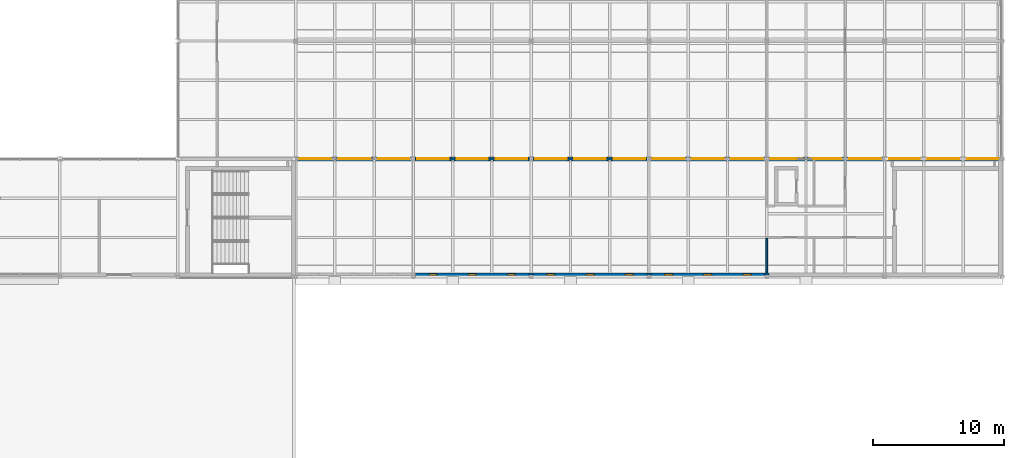
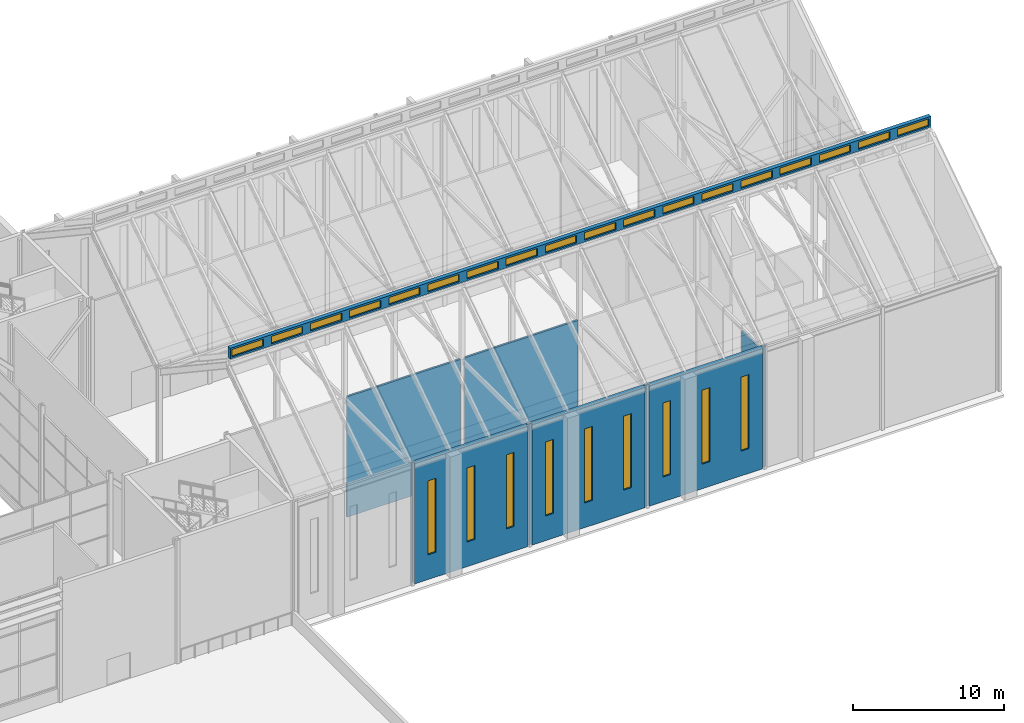
# One storey, part 87 of 111: 27 windows, 10 walls, 27 openings.
"""IFC4 building model written with IfcOpenShell, lengths in metres."""

import ifcopenshell
import ifcopenshell.guid

model = None  # the IFC model being written
_history = None  # IfcOwnerHistory: only IFC2X3 demands one
_inside = {}  # id of a spatial element -> (the spatial element, [elements in it])
_under = {}  # id of a project, library or spatial element -> (it, [spatial elements below it])
_declared = {}  # id of a project -> (the project, [libraries it declares])
_typed = {}  # id of a type object -> (the type object, [elements of that type])
_made_of = {}  # id of a material, layer set ... -> (it, [elements and type objects made of it])


def new_model(schema):
    """Start an empty IFC model of exactly this schema.

    Asked for "IFC4X3", IfcOpenShell would pick the latest addendum, in which some entities
    have other attributes; the version numbers below select the first issue.
    IFC2X3 requires an IfcOwnerHistory on every rooted entity: one is made here for all.
    """
    global model, _history
    if schema == "IFC4X3":
        model = ifcopenshell.file(schema_version=(4, 3, 0, 0))
    else:
        model = ifcopenshell.file(schema=schema)
    _inside.clear()
    _under.clear()
    _declared.clear()
    _typed.clear()
    _made_of.clear()
    _history = None
    if model.schema == "IFC2X3":
        org = make("IfcOrganization", Name="unknown")
        user = make(
            "IfcPersonAndOrganization",
            ThePerson=make("IfcPerson", FamilyName="unknown"),
            TheOrganization=org,
        )
        app = make(
            "IfcApplication",
            ApplicationDeveloper=org,
            Version="unknown",
            ApplicationFullName="unknown",
            ApplicationIdentifier="unknown",
        )
        _history = make(
            "IfcOwnerHistory",
            OwningUser=user,
            OwningApplication=app,
            ChangeAction="ADDED",
            CreationDate=0,
        )
    return model


def make(cls, **values):
    """One entity of the class cls with the attributes given. An attribute that is None is left unset."""
    return model.create_entity(
        cls, **{name: value for name, value in values.items() if value is not None}
    )


def rooted(cls, **values):
    """An entity with a GlobalId (a new one), such as an element, a storey or a relation."""
    return make(cls, GlobalId=ifcopenshell.guid.new(), OwnerHistory=_history, **values)


def si_unit(unit_type, name, prefix=None):
    """IfcSIUnit, for example si_unit("LENGTHUNIT", "METRE", prefix="MILLI")."""
    return make("IfcSIUnit", UnitType=unit_type, Prefix=prefix, Name=name)


def assignment(units):
    """IfcUnitAssignment: the units of a project."""
    return None if units is None else make("IfcUnitAssignment", Units=units)


def point(xyz):
    """IfcCartesianPoint."""
    return None if xyz is None else make("IfcCartesianPoint", Coordinates=xyz)


def direction(xyz):
    """IfcDirection."""
    return None if xyz is None else make("IfcDirection", DirectionRatios=xyz)


def frame(location, z_axis=None, x_axis=None):
    """IfcAxis2Placement3D, a coordinate frame: its origin and axes. An axis left out is left unset."""
    return make(
        "IfcAxis2Placement3D",
        Location=point(location),
        Axis=direction(z_axis),
        RefDirection=direction(x_axis),
    )


def frame_2d(location, x_axis=None):
    """IfcAxis2Placement2D, a coordinate frame in the plane: its origin and x axis."""
    return make(
        "IfcAxis2Placement2D", Location=point(location), RefDirection=direction(x_axis)
    )


def origin():
    """The frame at (0, 0, 0) with its axes left unset."""
    return frame((0.0, 0.0, 0.0))


def place(relative_to, where):
    """IfcLocalPlacement: puts the frame where relative to a parent placement (None: the world)."""
    return make(
        "IfcLocalPlacement", PlacementRelTo=relative_to, RelativePlacement=where
    )


def context(
    kind, dimensions, precision=None, world=None, true_north=None, identifier=None
):
    """IfcGeometricRepresentationContext, for example the 3D "Model" context."""
    return make(
        "IfcGeometricRepresentationContext",
        ContextIdentifier=identifier,
        ContextType=kind,
        CoordinateSpaceDimension=dimensions,
        Precision=precision,
        WorldCoordinateSystem=world,
        TrueNorth=true_north,
    )


def subcontext(parent, identifier, kind, view, scale=None):
    """IfcGeometricRepresentationSubContext, for example "Body" below "Model"."""
    return make(
        "IfcGeometricRepresentationSubContext",
        ContextIdentifier=identifier,
        ContextType=kind,
        ParentContext=parent,
        TargetScale=scale,
        TargetView=view,
    )


def project(units=None, contexts=None):
    """IfcProject with its units and contexts."""
    return rooted(
        "IfcProject",
        Name="project",
        RepresentationContexts=contexts,
        UnitsInContext=assignment(units),
    )


def spatial(cls, under=None, at=None, **own):
    """A site, building, storey or space (cls), placed at a placement, below another one or the project."""
    s = rooted(cls, ObjectPlacement=at, **own)
    if under is not None:
        _under.setdefault(under.id(), (under, []))[1].append(s)
    return s


def profile(cls, at=None, kind="AREA", **sizes):
    """A parametric profile (cls). Its sizes go by their IFC names, for example OverallWidth=200.0."""
    return make(cls, ProfileType=kind, Position=at, **sizes)


def rectangle(**sizes):
    """IfcRectangleProfileDef."""
    return profile("IfcRectangleProfileDef", **sizes)


def extrude(swept, where, along, depth):
    """IfcExtrudedAreaSolid: the profile swept, set in the frame where, extruded along a direction by depth."""
    return make(
        "IfcExtrudedAreaSolid",
        SweptArea=swept,
        Position=where,
        ExtrudedDirection=direction(along),
        Depth=depth,
    )


def shape(context_of_items, identifier, shape_type, items):
    """IfcShapeRepresentation: the items that make up one representation, for example the "Body"."""
    return make(
        "IfcShapeRepresentation",
        ContextOfItems=context_of_items,
        RepresentationIdentifier=identifier,
        RepresentationType=shape_type,
        Items=items,
    )


def material(Name=None, Category=None):
    """IfcMaterial."""
    return make("IfcMaterial", Name=Name, Category=Category)


def layer(
    of_material, thickness, ventilated=None, Name=None, Category=None, Priority=None
):
    """IfcMaterialLayer: one layer of a wall or slab, of a material (None: an air gap)."""
    return make(
        "IfcMaterialLayer",
        Material=of_material,
        LayerThickness=thickness,
        IsVentilated=ventilated,
        Name=Name,
        Category=Category,
        Priority=Priority,
    )


def layer_set(layers, Name=None):
    """IfcMaterialLayerSet."""
    return make("IfcMaterialLayerSet", MaterialLayers=layers, LayerSetName=Name)


def made_of(thing, what):
    """Note that an element or type object is made of a material, layer set ...; save() writes the relation."""
    if what is not None:
        _made_of.setdefault(what.id(), (what, []))[1].append(thing)
    return thing


def type_object(cls, material=None, **own):
    """A type object (cls), such as IfcWallType, which elements share."""
    return made_of(rooted(cls, **own), material)


def element(
    cls,
    number,
    at=None,
    inside=None,
    cuts=None,
    type_object=None,
    material=None,
    context=None,
    identifier="Body",
    shape_type=None,
    held_by="IfcProductDefinitionShape",
    body=None,
    shapes=None,
    **own,
):
    """One element of the class cls, such as IfcWall. Its Tag is "e" and its number.

    at: its placement. inside: the storey or other place that contains it. cuts: it is an
    opening in that element (IfcRelVoidsElement). A single representation is given by context,
    identifier, shape_type and body (its items); several are given by shapes. held_by: the class
    of the entity that holds the representations. save() writes the other relations.
    """
    e = rooted(cls, Tag="e%d" % number, ObjectPlacement=at, **own)
    if body is not None:
        shapes = [shape(context, identifier, shape_type, body)]
    if shapes is not None:
        e.Representation = make(held_by, Representations=shapes)
    if inside is not None:
        _inside.setdefault(inside.id(), (inside, []))[1].append(e)
    if cuts is not None:
        rooted(
            "IfcRelVoidsElement", RelatingBuildingElement=cuts, RelatedOpeningElement=e
        )
    if type_object is not None:
        _typed.setdefault(type_object.id(), (type_object, []))[1].append(e)
    return made_of(e, material)


def fill(opening, filler):
    """IfcRelFillsElement: the door or window that sits in an opening."""
    return rooted(
        "IfcRelFillsElement",
        RelatingOpeningElement=opening,
        RelatedBuildingElement=filler,
    )


def aggregate(whole, parts):
    """IfcRelAggregates: a whole, such as a stair, and the parts it consists of."""
    return rooted("IfcRelAggregates", RelatingObject=whole, RelatedObjects=parts)


def save(model, path):
    """Write the relations noted so far, then the file.

    IfcRelAggregates (storeys below a building ...), IfcRelContainedInSpatialStructure (elements
    in a storey), IfcRelDefinesByType, IfcRelAssociatesMaterial and IfcRelDeclares: one each for
    every whole, place, type object, material and project.
    """
    for whole, parts in _under.values():
        aggregate(whole, parts)
    for where, things in _inside.values():
        rooted(
            "IfcRelContainedInSpatialStructure",
            RelatedElements=things,
            RelatingStructure=where,
        )
    for kind, things in _typed.values():
        rooted("IfcRelDefinesByType", RelatedObjects=things, RelatingType=kind)
    for what, things in _made_of.values():
        rooted("IfcRelAssociatesMaterial", RelatedObjects=things, RelatingMaterial=what)
    for by, libraries in _declared.values():
        rooted("IfcRelDeclares", RelatingContext=by, RelatedDefinitions=libraries)
    model.write(path)


model = new_model("IFC4")

# Units and contexts
model_context = context("Model", 3, precision=1e-05, world=origin(), true_north=direction((0.0, 1.0)))
body_context = subcontext(model_context, "Body", "Model", "MODEL_VIEW")
ifc_project = project(units=[si_unit("LENGTHUNIT", "METRE"), si_unit("AREAUNIT", "SQUARE_METRE"), si_unit("VOLUMEUNIT", "CUBIC_METRE"), si_unit("PLANEANGLEUNIT", "RADIAN"), si_unit("MASSUNIT", "GRAM", prefix="KILO")], contexts=[model_context])

# Site, building, storey
site_placement = place(None, origin())
site = spatial("IfcSite", under=ifc_project, at=site_placement, CompositionType="ELEMENT")
building_placement = place(site_placement, origin())
building = spatial("IfcBuilding", under=site, at=building_placement, Name="Shorebreak Coast Museum", CompositionType="ELEMENT")
storey_placement = place(building_placement, frame((0.0, 0.0, 16.0)))
storey = spatial("IfcBuildingStorey", under=building, at=storey_placement, Name="L03", CompositionType="ELEMENT", Elevation=16.0)

# Walls
ifc_material_1 = material(Name="Concrete N50 (50 MPa)", Category="concrete")
ifc_layer_1 = layer(ifc_material_1, 0.175048828125)
ifc_layer_set_1 = layer_set([ifc_layer_1], Name="Concrete N50 (50 MPa)")
wall_type_1 = type_object("IfcWallType", Name="Column closure panel 175", PredefinedType="SOLIDWALL", material=ifc_layer_set_1)
for number, where, z_axis, x_axis, name in (
    (1, (134.839111328125, 54.21240234375, 0.0), (0.0, 0.0, 1.0), (1.0, 0.0, 0.0), "Column closure panel L03 S 16G"),
    (2, (143.839111328125, 54.21240234375, 0.0), (0.0, 0.0, 1.0), (1.0, 0.0, 0.0), "Column closure panel L03 S 17G"),
    (3, (152.839111328125, 54.21240234375, 0.0), (0.0, 0.0, 1.0), (1.0, 0.0, 0.0), "Column closure panel L03 S 18G"),
):
    element("IfcWall", number, at=place(storey_placement, frame(where, z_axis=z_axis, x_axis=x_axis)), inside=storey, type_object=wall_type_1, Name=name, PredefinedType="SOLIDWALL", context=body_context, shape_type="SweptSolid", body=[
        extrude(rectangle(XDim=0.32177734375, YDim=0.175048828125, at=frame_2d((0.160888671875, 0.0))), origin(), (0.0, 0.0, 1.0), 9.800048828125),
    ])
ifc_material_2 = material(Name="Plasterboard on steel stud", Category="steel")
ifc_layer_2 = layer(ifc_material_2, 0.14990234375)
ifc_layer_set_2 = layer_set([ifc_layer_2], Name="Plasterboard on steel stud")
wall_type_2 = type_object("IfcWallType", Name="Fire partition 150", PredefinedType="PARTITIONING", material=ifc_layer_set_2)
for number, where, z_axis, x_axis, name in (
    (4, (126.152587890625, 63.0, 0.0), (0.0, 0.0, 1.0), (1.0, 0.0, 0.0), "Partition L03-006"),
    (5, (135.152587890625, 63.0, 0.0), (0.0, 0.0, 1.0), (1.0, 0.0, 0.0), "Partition L03-007"),
):
    element("IfcWall", number, at=place(storey_placement, frame(where, z_axis=z_axis, x_axis=x_axis)), inside=storey, type_object=wall_type_2, Name=name, PredefinedType="PARTITIONING", context=body_context, shape_type="SweptSolid", body=[
        extrude(rectangle(XDim=8.69482421875, YDim=0.14990234375, at=frame_2d((4.347412109375, 0.0))), origin(), (0.0, 0.0, 1.0), 9.760009765625),
    ])
ifc_material_3 = material(Name="Plasterboard on steel stud", Category="steel")
ifc_layer_3 = layer(ifc_material_3, 0.125)
ifc_layer_set_3 = layer_set([ifc_layer_3], Name="Plasterboard on steel stud")
wall_type_3 = type_object("IfcWallType", Name="Partition 125", PredefinedType="PARTITIONING", material=ifc_layer_set_3)
wall_1_placement = place(storey_placement, frame((153.0, 54.300048828125, 0.0), z_axis=(0.0, 0.0, 1.0), x_axis=(0.0, 1.0, 0.0)))
element("IfcWall", 6, at=wall_1_placement, inside=storey, type_object=wall_type_3, Name="Partition L03-077", PredefinedType="PARTITIONING", context=body_context, shape_type="SweptSolid", body=[
    extrude(rectangle(XDim=2.637451171875, YDim=0.125, at=frame_2d((1.31884765625, 0.0))), origin(), (0.0, 0.0, 1.0), 9.40771484375),
])

# Wall, openings, windows
ifc_material_4 = material(Name="Concrete N50 (50 MPa)", Category="concrete")
ifc_layer_4 = layer(ifc_material_4, 0.300048828125)
ifc_layer_set_4 = layer_set([ifc_layer_4], Name="Concrete N50 (50 MPa)")
wall_type_4 = type_object("IfcWallType", Name="Precast board-marked panel 300", PredefinedType="SOLIDWALL", material=ifc_layer_set_4)
wall_2_placement = place(storey_placement, frame((126.160888671875, 54.14990234375, 0.0), z_axis=(0.0, 0.0, 1.0), x_axis=(1.0, 0.0, 0.0)))
wall_2 = element("IfcWall", 7, at=wall_2_placement, inside=storey, type_object=wall_type_4, Name="External wall L03 S 15G", PredefinedType="SOLIDWALL", context=body_context, shape_type="SweptSolid", body=[
    extrude(rectangle(XDim=8.67822265625, YDim=0.300048828125, at=frame_2d((4.339111328125, 0.0))), origin(), (0.0, 0.0, 1.0), 9.800048828125),
])
opening_1_placement = place(wall_2_placement, frame((1.0390625, 0.0, 2.0)))
opening_1 = element("IfcOpeningElement", 8, at=opening_1_placement, cuts=wall_2, Name="Opening WN3033", PredefinedType="OPENING", context=body_context, shape_type="SweptSolid", body=[
    extrude(rectangle(XDim=0.60009765625, YDim=6.0, at=frame_2d((0.300048828125, 3.0))), frame((0.0, 0.159912109375, 0.0), z_axis=(0.0, -1.0, 0.0), x_axis=(1.0, 0.0, 0.0)), (0.0, 0.0, 1.0), 0.320068359375),
])
opening_2_placement = place(wall_2_placement, frame((4.0390625, 0.0, 2.0)))
opening_2 = element("IfcOpeningElement", 9, at=opening_2_placement, cuts=wall_2, Name="Opening WN3034", PredefinedType="OPENING", context=body_context, shape_type="SweptSolid", body=[
    extrude(rectangle(XDim=0.60009765625, YDim=6.0, at=frame_2d((0.300048828125, 3.0))), frame((0.0, 0.159912109375, 0.0), z_axis=(0.0, -1.0, 0.0), x_axis=(1.0, 0.0, 0.0)), (0.0, 0.0, 1.0), 0.320068359375),
])
opening_3_placement = place(wall_2_placement, frame((7.0390625, 0.0, 2.0)))
opening_3 = element("IfcOpeningElement", 10, at=opening_3_placement, cuts=wall_2, Name="Opening WN3035", PredefinedType="OPENING", context=body_context, shape_type="SweptSolid", body=[
    extrude(rectangle(XDim=0.60009765625, YDim=6.0, at=frame_2d((0.300048828125, 3.0))), frame((0.0, 0.159912109375, 0.0), z_axis=(0.0, -1.0, 0.0), x_axis=(1.0, 0.0, 0.0)), (0.0, 0.0, 1.0), 0.320068359375),
])
ifc_material_5 = material(Name="Aluminium", Category="aluminium")
window_type_1 = type_object("IfcWindowType", Name="Hall slot window 600 x 6000", PartitioningType="SINGLE_PANEL", PredefinedType="WINDOW", material=ifc_material_5)
window_1_placement = place(opening_1_placement, origin())
window_1 = element("IfcWindow", 11, at=window_1_placement, inside=storey, type_object=window_type_1, Name="Window WN3033", OverallHeight=6.0, OverallWidth=0.60009765625, PartitioningType="SINGLE_PANEL", PredefinedType="WINDOW", context=body_context, shape_type="SweptSolid", body=[
    extrude(rectangle(XDim=0.60009765625, YDim=6.0, at=frame_2d((0.300048828125, 3.0))), frame((0.0, 0.030029296875, 0.0), z_axis=(0.0, -1.0, 0.0), x_axis=(1.0, 0.0, 0.0)), (0.0, 0.0, 1.0), 0.06005859375),
])
fill(opening_1, window_1)
window_2_placement = place(opening_2_placement, origin())
window_2 = element("IfcWindow", 12, at=window_2_placement, inside=storey, type_object=window_type_1, Name="Window WN3034", OverallHeight=6.0, OverallWidth=0.60009765625, PartitioningType="SINGLE_PANEL", PredefinedType="WINDOW", context=body_context, shape_type="SweptSolid", body=[
    extrude(rectangle(XDim=0.60009765625, YDim=6.0, at=frame_2d((0.300048828125, 3.0))), frame((0.0, 0.030029296875, 0.0), z_axis=(0.0, -1.0, 0.0), x_axis=(1.0, 0.0, 0.0)), (0.0, 0.0, 1.0), 0.06005859375),
])
fill(opening_2, window_2)
window_3_placement = place(opening_3_placement, origin())
window_3 = element("IfcWindow", 13, at=window_3_placement, inside=storey, type_object=window_type_1, Name="Window WN3035", OverallHeight=6.0, OverallWidth=0.60009765625, PartitioningType="SINGLE_PANEL", PredefinedType="WINDOW", context=body_context, shape_type="SweptSolid", body=[
    extrude(rectangle(XDim=0.60009765625, YDim=6.0, at=frame_2d((0.300048828125, 3.0))), frame((0.0, 0.030029296875, 0.0), z_axis=(0.0, -1.0, 0.0), x_axis=(1.0, 0.0, 0.0)), (0.0, 0.0, 1.0), 0.06005859375),
])
fill(opening_3, window_3)

wall_3_placement = place(storey_placement, frame((135.160888671875, 54.14990234375, 0.0), z_axis=(0.0, 0.0, 1.0), x_axis=(1.0, 0.0, 0.0)))
wall_3 = element("IfcWall", 14, at=wall_3_placement, inside=storey, type_object=wall_type_4, Name="External wall L03 S 16G", PredefinedType="SOLIDWALL", context=body_context, shape_type="SweptSolid", body=[
    extrude(rectangle(XDim=8.67822265625, YDim=0.300048828125, at=frame_2d((4.339111328125, 0.0))), origin(), (0.0, 0.0, 1.0), 9.800048828125),
])
opening_4_placement = place(wall_3_placement, frame((1.0390625, 0.0, 2.0)))
opening_4 = element("IfcOpeningElement", 15, at=opening_4_placement, cuts=wall_3, Name="Opening WN3036", PredefinedType="OPENING", context=body_context, shape_type="SweptSolid", body=[
    extrude(rectangle(XDim=0.60009765625, YDim=6.0, at=frame_2d((0.300048828125, 3.0))), frame((0.0, 0.159912109375, 0.0), z_axis=(0.0, -1.0, 0.0), x_axis=(1.0, 0.0, 0.0)), (0.0, 0.0, 1.0), 0.320068359375),
])
opening_5_placement = place(wall_3_placement, frame((4.0390625, 0.0, 2.0)))
opening_5 = element("IfcOpeningElement", 16, at=opening_5_placement, cuts=wall_3, Name="Opening WN3037", PredefinedType="OPENING", context=body_context, shape_type="SweptSolid", body=[
    extrude(rectangle(XDim=0.60009765625, YDim=6.0, at=frame_2d((0.300048828125, 3.0))), frame((0.0, 0.159912109375, 0.0), z_axis=(0.0, -1.0, 0.0), x_axis=(1.0, 0.0, 0.0)), (0.0, 0.0, 1.0), 0.320068359375),
])
opening_6_placement = place(wall_3_placement, frame((7.0390625, 0.0, 2.0)))
opening_6 = element("IfcOpeningElement", 17, at=opening_6_placement, cuts=wall_3, Name="Opening WN3038", PredefinedType="OPENING", context=body_context, shape_type="SweptSolid", body=[
    extrude(rectangle(XDim=0.60009765625, YDim=6.0, at=frame_2d((0.300048828125, 3.0))), frame((0.0, 0.159912109375, 0.0), z_axis=(0.0, -1.0, 0.0), x_axis=(1.0, 0.0, 0.0)), (0.0, 0.0, 1.0), 0.320068359375),
])
window_4_placement = place(opening_4_placement, origin())
window_4 = element("IfcWindow", 18, at=window_4_placement, inside=storey, type_object=window_type_1, Name="Window WN3036", OverallHeight=6.0, OverallWidth=0.60009765625, PartitioningType="SINGLE_PANEL", PredefinedType="WINDOW", context=body_context, shape_type="SweptSolid", body=[
    extrude(rectangle(XDim=0.60009765625, YDim=6.0, at=frame_2d((0.300048828125, 3.0))), frame((0.0, 0.030029296875, 0.0), z_axis=(0.0, -1.0, 0.0), x_axis=(1.0, 0.0, 0.0)), (0.0, 0.0, 1.0), 0.06005859375),
])
fill(opening_4, window_4)
window_5_placement = place(opening_5_placement, origin())
window_5 = element("IfcWindow", 19, at=window_5_placement, inside=storey, type_object=window_type_1, Name="Window WN3037", OverallHeight=6.0, OverallWidth=0.60009765625, PartitioningType="SINGLE_PANEL", PredefinedType="WINDOW", context=body_context, shape_type="SweptSolid", body=[
    extrude(rectangle(XDim=0.60009765625, YDim=6.0, at=frame_2d((0.300048828125, 3.0))), frame((0.0, 0.030029296875, 0.0), z_axis=(0.0, -1.0, 0.0), x_axis=(1.0, 0.0, 0.0)), (0.0, 0.0, 1.0), 0.06005859375),
])
fill(opening_5, window_5)
window_6_placement = place(opening_6_placement, origin())
window_6 = element("IfcWindow", 20, at=window_6_placement, inside=storey, type_object=window_type_1, Name="Window WN3038", OverallHeight=6.0, OverallWidth=0.60009765625, PartitioningType="SINGLE_PANEL", PredefinedType="WINDOW", context=body_context, shape_type="SweptSolid", body=[
    extrude(rectangle(XDim=0.60009765625, YDim=6.0, at=frame_2d((0.300048828125, 3.0))), frame((0.0, 0.030029296875, 0.0), z_axis=(0.0, -1.0, 0.0), x_axis=(1.0, 0.0, 0.0)), (0.0, 0.0, 1.0), 0.06005859375),
])
fill(opening_6, window_6)

wall_4_placement = place(storey_placement, frame((144.160888671875, 54.14990234375, 0.0), z_axis=(0.0, 0.0, 1.0), x_axis=(1.0, 0.0, 0.0)))
wall_4 = element("IfcWall", 21, at=wall_4_placement, inside=storey, type_object=wall_type_4, Name="External wall L03 S 17G", PredefinedType="SOLIDWALL", context=body_context, shape_type="SweptSolid", body=[
    extrude(rectangle(XDim=8.67822265625, YDim=0.300048828125, at=frame_2d((4.339111328125, 0.0))), origin(), (0.0, 0.0, 1.0), 9.800048828125),
])
opening_7_placement = place(wall_4_placement, frame((1.0390625, 0.0, 2.0)))
opening_7 = element("IfcOpeningElement", 22, at=opening_7_placement, cuts=wall_4, Name="Opening WN3039", PredefinedType="OPENING", context=body_context, shape_type="SweptSolid", body=[
    extrude(rectangle(XDim=0.60009765625, YDim=6.0, at=frame_2d((0.300048828125, 3.0))), frame((0.0, 0.159912109375, 0.0), z_axis=(0.0, -1.0, 0.0), x_axis=(1.0, 0.0, 0.0)), (0.0, 0.0, 1.0), 0.320068359375),
])
opening_8_placement = place(wall_4_placement, frame((4.0390625, 0.0, 2.0)))
opening_8 = element("IfcOpeningElement", 23, at=opening_8_placement, cuts=wall_4, Name="Opening WN3040", PredefinedType="OPENING", context=body_context, shape_type="SweptSolid", body=[
    extrude(rectangle(XDim=0.60009765625, YDim=6.0, at=frame_2d((0.300048828125, 3.0))), frame((0.0, 0.159912109375, 0.0), z_axis=(0.0, -1.0, 0.0), x_axis=(1.0, 0.0, 0.0)), (0.0, 0.0, 1.0), 0.320068359375),
])
opening_9_placement = place(wall_4_placement, frame((7.0390625, 0.0, 2.0)))
opening_9 = element("IfcOpeningElement", 24, at=opening_9_placement, cuts=wall_4, Name="Opening WN3041", PredefinedType="OPENING", context=body_context, shape_type="SweptSolid", body=[
    extrude(rectangle(XDim=0.60009765625, YDim=6.0, at=frame_2d((0.300048828125, 3.0))), frame((0.0, 0.159912109375, 0.0), z_axis=(0.0, -1.0, 0.0), x_axis=(1.0, 0.0, 0.0)), (0.0, 0.0, 1.0), 0.320068359375),
])
window_7_placement = place(opening_7_placement, origin())
window_7 = element("IfcWindow", 25, at=window_7_placement, inside=storey, type_object=window_type_1, Name="Window WN3039", OverallHeight=6.0, OverallWidth=0.60009765625, PartitioningType="SINGLE_PANEL", PredefinedType="WINDOW", context=body_context, shape_type="SweptSolid", body=[
    extrude(rectangle(XDim=0.60009765625, YDim=6.0, at=frame_2d((0.300048828125, 3.0))), frame((0.0, 0.030029296875, 0.0), z_axis=(0.0, -1.0, 0.0), x_axis=(1.0, 0.0, 0.0)), (0.0, 0.0, 1.0), 0.06005859375),
])
fill(opening_7, window_7)
window_8_placement = place(opening_8_placement, origin())
window_8 = element("IfcWindow", 26, at=window_8_placement, inside=storey, type_object=window_type_1, Name="Window WN3040", OverallHeight=6.0, OverallWidth=0.60009765625, PartitioningType="SINGLE_PANEL", PredefinedType="WINDOW", context=body_context, shape_type="SweptSolid", body=[
    extrude(rectangle(XDim=0.60009765625, YDim=6.0, at=frame_2d((0.300048828125, 3.0))), frame((0.0, 0.030029296875, 0.0), z_axis=(0.0, -1.0, 0.0), x_axis=(1.0, 0.0, 0.0)), (0.0, 0.0, 1.0), 0.06005859375),
])
fill(opening_8, window_8)
window_9_placement = place(opening_9_placement, origin())
window_9 = element("IfcWindow", 27, at=window_9_placement, inside=storey, type_object=window_type_1, Name="Window WN3041", OverallHeight=6.0, OverallWidth=0.60009765625, PartitioningType="SINGLE_PANEL", PredefinedType="WINDOW", context=body_context, shape_type="SweptSolid", body=[
    extrude(rectangle(XDim=0.60009765625, YDim=6.0, at=frame_2d((0.300048828125, 3.0))), frame((0.0, 0.030029296875, 0.0), z_axis=(0.0, -1.0, 0.0), x_axis=(1.0, 0.0, 0.0)), (0.0, 0.0, 1.0), 0.06005859375),
])
fill(opening_9, window_9)

ifc_material_6 = material(Name="Concrete N50 (50 MPa)", Category="concrete")
ifc_layer_5 = layer(ifc_material_6, 0.300048828125)
ifc_layer_set_5 = layer_set([ifc_layer_5], Name="Concrete N50 (50 MPa)")
wall_type_5 = type_object("IfcWallType", Name="Ridge lantern kerb 300", PredefinedType="SOLIDWALL", material=ifc_layer_set_5)
wall_5_placement = place(storey_placement, frame((117.14990234375, 63.0, 16.0), z_axis=(0.0, 0.0, 1.0), x_axis=(1.0, 0.0, 0.0)))
wall_5 = element("IfcWall", 28, at=wall_5_placement, inside=storey, type_object=wall_type_5, Name="Ridge lantern FOLD-E R1", PredefinedType="SOLIDWALL", context=body_context, shape_type="SweptSolid", body=[
    extrude(rectangle(XDim=53.7001953125, YDim=0.300048828125, at=frame_2d((26.85009765625, 0.0))), origin(), (0.0, 0.0, 1.0), 0.89990234375),
])
opening_10_placement = place(wall_5_placement, frame((0.14990234375, 0.0, 0.14990234375)))
opening_10 = element("IfcOpeningElement", 29, at=opening_10_placement, cuts=wall_5, Name="Opening R-01", PredefinedType="OPENING", context=body_context, shape_type="SweptSolid", body=[
    extrude(rectangle(XDim=2.39990234375, YDim=0.60009765625, at=frame_2d((1.199951171875, 0.300048828125))), frame((0.0, 0.159912109375, 0.0), z_axis=(0.0, -1.0, 0.0), x_axis=(1.0, 0.0, 0.0)), (0.0, 0.0, 1.0), 0.320068359375),
])
opening_11_placement = place(wall_5_placement, frame((3.14990234375, 0.0, 0.14990234375)))
opening_11 = element("IfcOpeningElement", 30, at=opening_11_placement, cuts=wall_5, Name="Opening R-02", PredefinedType="OPENING", context=body_context, shape_type="SweptSolid", body=[
    extrude(rectangle(XDim=2.39990234375, YDim=0.60009765625, at=frame_2d((1.199951171875, 0.300048828125))), frame((0.0, 0.159912109375, 0.0), z_axis=(0.0, -1.0, 0.0), x_axis=(1.0, 0.0, 0.0)), (0.0, 0.0, 1.0), 0.320068359375),
])
opening_12_placement = place(wall_5_placement, frame((6.14990234375, 0.0, 0.14990234375)))
opening_12 = element("IfcOpeningElement", 31, at=opening_12_placement, cuts=wall_5, Name="Opening R-03", PredefinedType="OPENING", context=body_context, shape_type="SweptSolid", body=[
    extrude(rectangle(XDim=2.39990234375, YDim=0.60009765625, at=frame_2d((1.199951171875, 0.300048828125))), frame((0.0, 0.159912109375, 0.0), z_axis=(0.0, -1.0, 0.0), x_axis=(1.0, 0.0, 0.0)), (0.0, 0.0, 1.0), 0.320068359375),
])
opening_13_placement = place(wall_5_placement, frame((9.14990234375, 0.0, 0.14990234375)))
opening_13 = element("IfcOpeningElement", 32, at=opening_13_placement, cuts=wall_5, Name="Opening R-04", PredefinedType="OPENING", context=body_context, shape_type="SweptSolid", body=[
    extrude(rectangle(XDim=2.39990234375, YDim=0.60009765625, at=frame_2d((1.199951171875, 0.300048828125))), frame((0.0, 0.159912109375, 0.0), z_axis=(0.0, -1.0, 0.0), x_axis=(1.0, 0.0, 0.0)), (0.0, 0.0, 1.0), 0.320068359375),
])
opening_14_placement = place(wall_5_placement, frame((12.14990234375, 0.0, 0.14990234375)))
opening_14 = element("IfcOpeningElement", 33, at=opening_14_placement, cuts=wall_5, Name="Opening R-05", PredefinedType="OPENING", context=body_context, shape_type="SweptSolid", body=[
    extrude(rectangle(XDim=2.39990234375, YDim=0.60009765625, at=frame_2d((1.199951171875, 0.300048828125))), frame((0.0, 0.159912109375, 0.0), z_axis=(0.0, -1.0, 0.0), x_axis=(1.0, 0.0, 0.0)), (0.0, 0.0, 1.0), 0.320068359375),
])
opening_15_placement = place(wall_5_placement, frame((15.14990234375, 0.0, 0.14990234375)))
opening_15 = element("IfcOpeningElement", 34, at=opening_15_placement, cuts=wall_5, Name="Opening R-06", PredefinedType="OPENING", context=body_context, shape_type="SweptSolid", body=[
    extrude(rectangle(XDim=2.39990234375, YDim=0.60009765625, at=frame_2d((1.199951171875, 0.300048828125))), frame((0.0, 0.159912109375, 0.0), z_axis=(0.0, -1.0, 0.0), x_axis=(1.0, 0.0, 0.0)), (0.0, 0.0, 1.0), 0.320068359375),
])
opening_16_placement = place(wall_5_placement, frame((18.14990234375, 0.0, 0.14990234375)))
opening_16 = element("IfcOpeningElement", 35, at=opening_16_placement, cuts=wall_5, Name="Opening R-07", PredefinedType="OPENING", context=body_context, shape_type="SweptSolid", body=[
    extrude(rectangle(XDim=2.39990234375, YDim=0.60009765625, at=frame_2d((1.199951171875, 0.300048828125))), frame((0.0, 0.159912109375, 0.0), z_axis=(0.0, -1.0, 0.0), x_axis=(1.0, 0.0, 0.0)), (0.0, 0.0, 1.0), 0.320068359375),
])
opening_17_placement = place(wall_5_placement, frame((21.14990234375, 0.0, 0.14990234375)))
opening_17 = element("IfcOpeningElement", 36, at=opening_17_placement, cuts=wall_5, Name="Opening R-08", PredefinedType="OPENING", context=body_context, shape_type="SweptSolid", body=[
    extrude(rectangle(XDim=2.39990234375, YDim=0.60009765625, at=frame_2d((1.199951171875, 0.300048828125))), frame((0.0, 0.159912109375, 0.0), z_axis=(0.0, -1.0, 0.0), x_axis=(1.0, 0.0, 0.0)), (0.0, 0.0, 1.0), 0.320068359375),
])
opening_18_placement = place(wall_5_placement, frame((24.14990234375, 0.0, 0.14990234375)))
opening_18 = element("IfcOpeningElement", 37, at=opening_18_placement, cuts=wall_5, Name="Opening R-09", PredefinedType="OPENING", context=body_context, shape_type="SweptSolid", body=[
    extrude(rectangle(XDim=2.39990234375, YDim=0.60009765625, at=frame_2d((1.199951171875, 0.300048828125))), frame((0.0, 0.159912109375, 0.0), z_axis=(0.0, -1.0, 0.0), x_axis=(1.0, 0.0, 0.0)), (0.0, 0.0, 1.0), 0.320068359375),
])
opening_19_placement = place(wall_5_placement, frame((27.14990234375, 0.0, 0.14990234375)))
opening_19 = element("IfcOpeningElement", 38, at=opening_19_placement, cuts=wall_5, Name="Opening R-10", PredefinedType="OPENING", context=body_context, shape_type="SweptSolid", body=[
    extrude(rectangle(XDim=2.39990234375, YDim=0.60009765625, at=frame_2d((1.199951171875, 0.300048828125))), frame((0.0, 0.159912109375, 0.0), z_axis=(0.0, -1.0, 0.0), x_axis=(1.0, 0.0, 0.0)), (0.0, 0.0, 1.0), 0.320068359375),
])
opening_20_placement = place(wall_5_placement, frame((30.14990234375, 0.0, 0.14990234375)))
opening_20 = element("IfcOpeningElement", 39, at=opening_20_placement, cuts=wall_5, Name="Opening R-11", PredefinedType="OPENING", context=body_context, shape_type="SweptSolid", body=[
    extrude(rectangle(XDim=2.39990234375, YDim=0.60009765625, at=frame_2d((1.199951171875, 0.300048828125))), frame((0.0, 0.159912109375, 0.0), z_axis=(0.0, -1.0, 0.0), x_axis=(1.0, 0.0, 0.0)), (0.0, 0.0, 1.0), 0.320068359375),
])
opening_21_placement = place(wall_5_placement, frame((33.14990234375, 0.0, 0.14990234375)))
opening_21 = element("IfcOpeningElement", 40, at=opening_21_placement, cuts=wall_5, Name="Opening R-12", PredefinedType="OPENING", context=body_context, shape_type="SweptSolid", body=[
    extrude(rectangle(XDim=2.39990234375, YDim=0.60009765625, at=frame_2d((1.199951171875, 0.300048828125))), frame((0.0, 0.159912109375, 0.0), z_axis=(0.0, -1.0, 0.0), x_axis=(1.0, 0.0, 0.0)), (0.0, 0.0, 1.0), 0.320068359375),
])
opening_22_placement = place(wall_5_placement, frame((36.14990234375, 0.0, 0.14990234375)))
opening_22 = element("IfcOpeningElement", 41, at=opening_22_placement, cuts=wall_5, Name="Opening R-13", PredefinedType="OPENING", context=body_context, shape_type="SweptSolid", body=[
    extrude(rectangle(XDim=2.39990234375, YDim=0.60009765625, at=frame_2d((1.199951171875, 0.300048828125))), frame((0.0, 0.159912109375, 0.0), z_axis=(0.0, -1.0, 0.0), x_axis=(1.0, 0.0, 0.0)), (0.0, 0.0, 1.0), 0.320068359375),
])
opening_23_placement = place(wall_5_placement, frame((39.14990234375, 0.0, 0.14990234375)))
opening_23 = element("IfcOpeningElement", 42, at=opening_23_placement, cuts=wall_5, Name="Opening R-14", PredefinedType="OPENING", context=body_context, shape_type="SweptSolid", body=[
    extrude(rectangle(XDim=2.39990234375, YDim=0.60009765625, at=frame_2d((1.199951171875, 0.300048828125))), frame((0.0, 0.159912109375, 0.0), z_axis=(0.0, -1.0, 0.0), x_axis=(1.0, 0.0, 0.0)), (0.0, 0.0, 1.0), 0.320068359375),
])
opening_24_placement = place(wall_5_placement, frame((42.14990234375, 0.0, 0.14990234375)))
opening_24 = element("IfcOpeningElement", 43, at=opening_24_placement, cuts=wall_5, Name="Opening R-15", PredefinedType="OPENING", context=body_context, shape_type="SweptSolid", body=[
    extrude(rectangle(XDim=2.39990234375, YDim=0.60009765625, at=frame_2d((1.199951171875, 0.300048828125))), frame((0.0, 0.159912109375, 0.0), z_axis=(0.0, -1.0, 0.0), x_axis=(1.0, 0.0, 0.0)), (0.0, 0.0, 1.0), 0.320068359375),
])
opening_25_placement = place(wall_5_placement, frame((45.14990234375, 0.0, 0.14990234375)))
opening_25 = element("IfcOpeningElement", 44, at=opening_25_placement, cuts=wall_5, Name="Opening R-16", PredefinedType="OPENING", context=body_context, shape_type="SweptSolid", body=[
    extrude(rectangle(XDim=2.39990234375, YDim=0.60009765625, at=frame_2d((1.199951171875, 0.300048828125))), frame((0.0, 0.159912109375, 0.0), z_axis=(0.0, -1.0, 0.0), x_axis=(1.0, 0.0, 0.0)), (0.0, 0.0, 1.0), 0.320068359375),
])
opening_26_placement = place(wall_5_placement, frame((48.14990234375, 0.0, 0.14990234375)))
opening_26 = element("IfcOpeningElement", 45, at=opening_26_placement, cuts=wall_5, Name="Opening R-17", PredefinedType="OPENING", context=body_context, shape_type="SweptSolid", body=[
    extrude(rectangle(XDim=2.39990234375, YDim=0.60009765625, at=frame_2d((1.199951171875, 0.300048828125))), frame((0.0, 0.159912109375, 0.0), z_axis=(0.0, -1.0, 0.0), x_axis=(1.0, 0.0, 0.0)), (0.0, 0.0, 1.0), 0.320068359375),
])
opening_27_placement = place(wall_5_placement, frame((51.14990234375, 0.0, 0.14990234375)))
opening_27 = element("IfcOpeningElement", 46, at=opening_27_placement, cuts=wall_5, Name="Opening R-18", PredefinedType="OPENING", context=body_context, shape_type="SweptSolid", body=[
    extrude(rectangle(XDim=2.39990234375, YDim=0.60009765625, at=frame_2d((1.199951171875, 0.300048828125))), frame((0.0, 0.159912109375, 0.0), z_axis=(0.0, -1.0, 0.0), x_axis=(1.0, 0.0, 0.0)), (0.0, 0.0, 1.0), 0.320068359375),
])
ifc_material_7 = material(Name="Aluminium", Category="aluminium")
window_type_2 = type_object("IfcWindowType", Name="Rooflight 2400 x 600", PartitioningType="SINGLE_PANEL", PredefinedType="SKYLIGHT", material=ifc_material_7)
window_10_placement = place(opening_10_placement, origin())
window_10 = element("IfcWindow", 47, at=window_10_placement, inside=storey, type_object=window_type_2, Name="Rooflight R-01", OverallHeight=0.60009765625, OverallWidth=2.39990234375, PartitioningType="SINGLE_PANEL", PredefinedType="SKYLIGHT", context=body_context, shape_type="SweptSolid", body=[
    extrude(rectangle(XDim=2.39990234375, YDim=0.60009765625, at=frame_2d((1.199951171875, 0.300048828125))), frame((0.0, 0.030029296875, 0.0), z_axis=(0.0, -1.0, 0.0), x_axis=(1.0, 0.0, 0.0)), (0.0, 0.0, 1.0), 0.06005859375),
])
fill(opening_10, window_10)
window_11_placement = place(opening_11_placement, origin())
window_11 = element("IfcWindow", 48, at=window_11_placement, inside=storey, type_object=window_type_2, Name="Rooflight R-02", OverallHeight=0.60009765625, OverallWidth=2.39990234375, PartitioningType="SINGLE_PANEL", PredefinedType="SKYLIGHT", context=body_context, shape_type="SweptSolid", body=[
    extrude(rectangle(XDim=2.39990234375, YDim=0.60009765625, at=frame_2d((1.199951171875, 0.300048828125))), frame((0.0, 0.030029296875, 0.0), z_axis=(0.0, -1.0, 0.0), x_axis=(1.0, 0.0, 0.0)), (0.0, 0.0, 1.0), 0.06005859375),
])
fill(opening_11, window_11)
window_12_placement = place(opening_12_placement, origin())
window_12 = element("IfcWindow", 49, at=window_12_placement, inside=storey, type_object=window_type_2, Name="Rooflight R-03", OverallHeight=0.60009765625, OverallWidth=2.39990234375, PartitioningType="SINGLE_PANEL", PredefinedType="SKYLIGHT", context=body_context, shape_type="SweptSolid", body=[
    extrude(rectangle(XDim=2.39990234375, YDim=0.60009765625, at=frame_2d((1.199951171875, 0.300048828125))), frame((0.0, 0.030029296875, 0.0), z_axis=(0.0, -1.0, 0.0), x_axis=(1.0, 0.0, 0.0)), (0.0, 0.0, 1.0), 0.06005859375),
])
fill(opening_12, window_12)
window_13_placement = place(opening_13_placement, origin())
window_13 = element("IfcWindow", 50, at=window_13_placement, inside=storey, type_object=window_type_2, Name="Rooflight R-04", OverallHeight=0.60009765625, OverallWidth=2.39990234375, PartitioningType="SINGLE_PANEL", PredefinedType="SKYLIGHT", context=body_context, shape_type="SweptSolid", body=[
    extrude(rectangle(XDim=2.39990234375, YDim=0.60009765625, at=frame_2d((1.199951171875, 0.300048828125))), frame((0.0, 0.030029296875, 0.0), z_axis=(0.0, -1.0, 0.0), x_axis=(1.0, 0.0, 0.0)), (0.0, 0.0, 1.0), 0.06005859375),
])
fill(opening_13, window_13)
window_14_placement = place(opening_14_placement, origin())
window_14 = element("IfcWindow", 51, at=window_14_placement, inside=storey, type_object=window_type_2, Name="Rooflight R-05", OverallHeight=0.60009765625, OverallWidth=2.39990234375, PartitioningType="SINGLE_PANEL", PredefinedType="SKYLIGHT", context=body_context, shape_type="SweptSolid", body=[
    extrude(rectangle(XDim=2.39990234375, YDim=0.60009765625, at=frame_2d((1.199951171875, 0.300048828125))), frame((0.0, 0.030029296875, 0.0), z_axis=(0.0, -1.0, 0.0), x_axis=(1.0, 0.0, 0.0)), (0.0, 0.0, 1.0), 0.06005859375),
])
fill(opening_14, window_14)
window_15_placement = place(opening_15_placement, origin())
window_15 = element("IfcWindow", 52, at=window_15_placement, inside=storey, type_object=window_type_2, Name="Rooflight R-06", OverallHeight=0.60009765625, OverallWidth=2.39990234375, PartitioningType="SINGLE_PANEL", PredefinedType="SKYLIGHT", context=body_context, shape_type="SweptSolid", body=[
    extrude(rectangle(XDim=2.39990234375, YDim=0.60009765625, at=frame_2d((1.199951171875, 0.300048828125))), frame((0.0, 0.030029296875, 0.0), z_axis=(0.0, -1.0, 0.0), x_axis=(1.0, 0.0, 0.0)), (0.0, 0.0, 1.0), 0.06005859375),
])
fill(opening_15, window_15)
window_16_placement = place(opening_16_placement, origin())
window_16 = element("IfcWindow", 53, at=window_16_placement, inside=storey, type_object=window_type_2, Name="Rooflight R-07", OverallHeight=0.60009765625, OverallWidth=2.39990234375, PartitioningType="SINGLE_PANEL", PredefinedType="SKYLIGHT", context=body_context, shape_type="SweptSolid", body=[
    extrude(rectangle(XDim=2.39990234375, YDim=0.60009765625, at=frame_2d((1.199951171875, 0.300048828125))), frame((0.0, 0.030029296875, 0.0), z_axis=(0.0, -1.0, 0.0), x_axis=(1.0, 0.0, 0.0)), (0.0, 0.0, 1.0), 0.06005859375),
])
fill(opening_16, window_16)
window_17_placement = place(opening_17_placement, origin())
window_17 = element("IfcWindow", 54, at=window_17_placement, inside=storey, type_object=window_type_2, Name="Rooflight R-08", OverallHeight=0.60009765625, OverallWidth=2.39990234375, PartitioningType="SINGLE_PANEL", PredefinedType="SKYLIGHT", context=body_context, shape_type="SweptSolid", body=[
    extrude(rectangle(XDim=2.39990234375, YDim=0.60009765625, at=frame_2d((1.199951171875, 0.300048828125))), frame((0.0, 0.030029296875, 0.0), z_axis=(0.0, -1.0, 0.0), x_axis=(1.0, 0.0, 0.0)), (0.0, 0.0, 1.0), 0.06005859375),
])
fill(opening_17, window_17)
window_18_placement = place(opening_18_placement, origin())
window_18 = element("IfcWindow", 55, at=window_18_placement, inside=storey, type_object=window_type_2, Name="Rooflight R-09", OverallHeight=0.60009765625, OverallWidth=2.39990234375, PartitioningType="SINGLE_PANEL", PredefinedType="SKYLIGHT", context=body_context, shape_type="SweptSolid", body=[
    extrude(rectangle(XDim=2.39990234375, YDim=0.60009765625, at=frame_2d((1.199951171875, 0.300048828125))), frame((0.0, 0.030029296875, 0.0), z_axis=(0.0, -1.0, 0.0), x_axis=(1.0, 0.0, 0.0)), (0.0, 0.0, 1.0), 0.06005859375),
])
fill(opening_18, window_18)
window_19_placement = place(opening_19_placement, origin())
window_19 = element("IfcWindow", 56, at=window_19_placement, inside=storey, type_object=window_type_2, Name="Rooflight R-10", OverallHeight=0.60009765625, OverallWidth=2.39990234375, PartitioningType="SINGLE_PANEL", PredefinedType="SKYLIGHT", context=body_context, shape_type="SweptSolid", body=[
    extrude(rectangle(XDim=2.39990234375, YDim=0.60009765625, at=frame_2d((1.199951171875, 0.300048828125))), frame((0.0, 0.030029296875, 0.0), z_axis=(0.0, -1.0, 0.0), x_axis=(1.0, 0.0, 0.0)), (0.0, 0.0, 1.0), 0.06005859375),
])
fill(opening_19, window_19)
window_20_placement = place(opening_20_placement, origin())
window_20 = element("IfcWindow", 57, at=window_20_placement, inside=storey, type_object=window_type_2, Name="Rooflight R-11", OverallHeight=0.60009765625, OverallWidth=2.39990234375, PartitioningType="SINGLE_PANEL", PredefinedType="SKYLIGHT", context=body_context, shape_type="SweptSolid", body=[
    extrude(rectangle(XDim=2.39990234375, YDim=0.60009765625, at=frame_2d((1.199951171875, 0.300048828125))), frame((0.0, 0.030029296875, 0.0), z_axis=(0.0, -1.0, 0.0), x_axis=(1.0, 0.0, 0.0)), (0.0, 0.0, 1.0), 0.06005859375),
])
fill(opening_20, window_20)
window_21_placement = place(opening_21_placement, origin())
window_21 = element("IfcWindow", 58, at=window_21_placement, inside=storey, type_object=window_type_2, Name="Rooflight R-12", OverallHeight=0.60009765625, OverallWidth=2.39990234375, PartitioningType="SINGLE_PANEL", PredefinedType="SKYLIGHT", context=body_context, shape_type="SweptSolid", body=[
    extrude(rectangle(XDim=2.39990234375, YDim=0.60009765625, at=frame_2d((1.199951171875, 0.300048828125))), frame((0.0, 0.030029296875, 0.0), z_axis=(0.0, -1.0, 0.0), x_axis=(1.0, 0.0, 0.0)), (0.0, 0.0, 1.0), 0.06005859375),
])
fill(opening_21, window_21)
window_22_placement = place(opening_22_placement, origin())
window_22 = element("IfcWindow", 59, at=window_22_placement, inside=storey, type_object=window_type_2, Name="Rooflight R-13", OverallHeight=0.60009765625, OverallWidth=2.39990234375, PartitioningType="SINGLE_PANEL", PredefinedType="SKYLIGHT", context=body_context, shape_type="SweptSolid", body=[
    extrude(rectangle(XDim=2.39990234375, YDim=0.60009765625, at=frame_2d((1.199951171875, 0.300048828125))), frame((0.0, 0.030029296875, 0.0), z_axis=(0.0, -1.0, 0.0), x_axis=(1.0, 0.0, 0.0)), (0.0, 0.0, 1.0), 0.06005859375),
])
fill(opening_22, window_22)
window_23_placement = place(opening_23_placement, origin())
window_23 = element("IfcWindow", 60, at=window_23_placement, inside=storey, type_object=window_type_2, Name="Rooflight R-14", OverallHeight=0.60009765625, OverallWidth=2.39990234375, PartitioningType="SINGLE_PANEL", PredefinedType="SKYLIGHT", context=body_context, shape_type="SweptSolid", body=[
    extrude(rectangle(XDim=2.39990234375, YDim=0.60009765625, at=frame_2d((1.199951171875, 0.300048828125))), frame((0.0, 0.030029296875, 0.0), z_axis=(0.0, -1.0, 0.0), x_axis=(1.0, 0.0, 0.0)), (0.0, 0.0, 1.0), 0.06005859375),
])
fill(opening_23, window_23)
window_24_placement = place(opening_24_placement, origin())
window_24 = element("IfcWindow", 61, at=window_24_placement, inside=storey, type_object=window_type_2, Name="Rooflight R-15", OverallHeight=0.60009765625, OverallWidth=2.39990234375, PartitioningType="SINGLE_PANEL", PredefinedType="SKYLIGHT", context=body_context, shape_type="SweptSolid", body=[
    extrude(rectangle(XDim=2.39990234375, YDim=0.60009765625, at=frame_2d((1.199951171875, 0.300048828125))), frame((0.0, 0.030029296875, 0.0), z_axis=(0.0, -1.0, 0.0), x_axis=(1.0, 0.0, 0.0)), (0.0, 0.0, 1.0), 0.06005859375),
])
fill(opening_24, window_24)
window_25_placement = place(opening_25_placement, origin())
window_25 = element("IfcWindow", 62, at=window_25_placement, inside=storey, type_object=window_type_2, Name="Rooflight R-16", OverallHeight=0.60009765625, OverallWidth=2.39990234375, PartitioningType="SINGLE_PANEL", PredefinedType="SKYLIGHT", context=body_context, shape_type="SweptSolid", body=[
    extrude(rectangle(XDim=2.39990234375, YDim=0.60009765625, at=frame_2d((1.199951171875, 0.300048828125))), frame((0.0, 0.030029296875, 0.0), z_axis=(0.0, -1.0, 0.0), x_axis=(1.0, 0.0, 0.0)), (0.0, 0.0, 1.0), 0.06005859375),
])
fill(opening_25, window_25)
window_26_placement = place(opening_26_placement, origin())
window_26 = element("IfcWindow", 63, at=window_26_placement, inside=storey, type_object=window_type_2, Name="Rooflight R-17", OverallHeight=0.60009765625, OverallWidth=2.39990234375, PartitioningType="SINGLE_PANEL", PredefinedType="SKYLIGHT", context=body_context, shape_type="SweptSolid", body=[
    extrude(rectangle(XDim=2.39990234375, YDim=0.60009765625, at=frame_2d((1.199951171875, 0.300048828125))), frame((0.0, 0.030029296875, 0.0), z_axis=(0.0, -1.0, 0.0), x_axis=(1.0, 0.0, 0.0)), (0.0, 0.0, 1.0), 0.06005859375),
])
fill(opening_26, window_26)
window_27_placement = place(opening_27_placement, origin())
window_27 = element("IfcWindow", 64, at=window_27_placement, inside=storey, type_object=window_type_2, Name="Rooflight R-18", OverallHeight=0.60009765625, OverallWidth=2.39990234375, PartitioningType="SINGLE_PANEL", PredefinedType="SKYLIGHT", context=body_context, shape_type="SweptSolid", body=[
    extrude(rectangle(XDim=2.39990234375, YDim=0.60009765625, at=frame_2d((1.199951171875, 0.300048828125))), frame((0.0, 0.030029296875, 0.0), z_axis=(0.0, -1.0, 0.0), x_axis=(1.0, 0.0, 0.0)), (0.0, 0.0, 1.0), 0.06005859375),
])
fill(opening_27, window_27)

save(model, "model.ifc")
